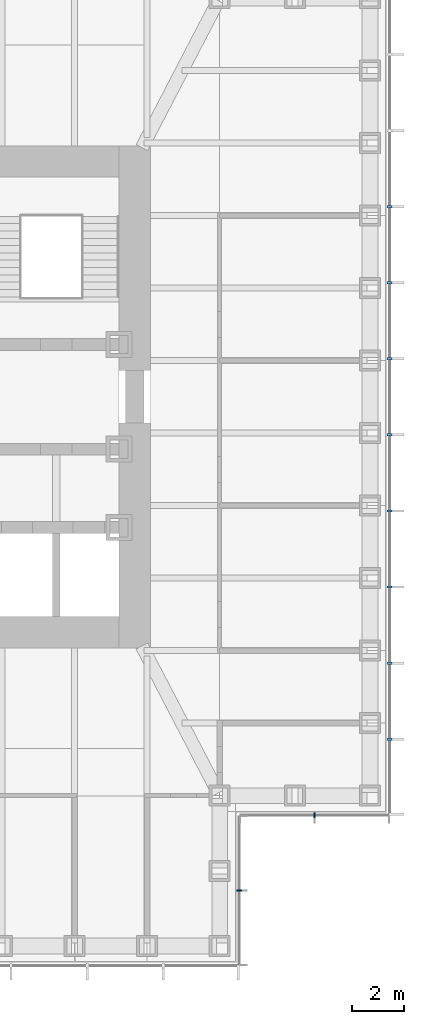
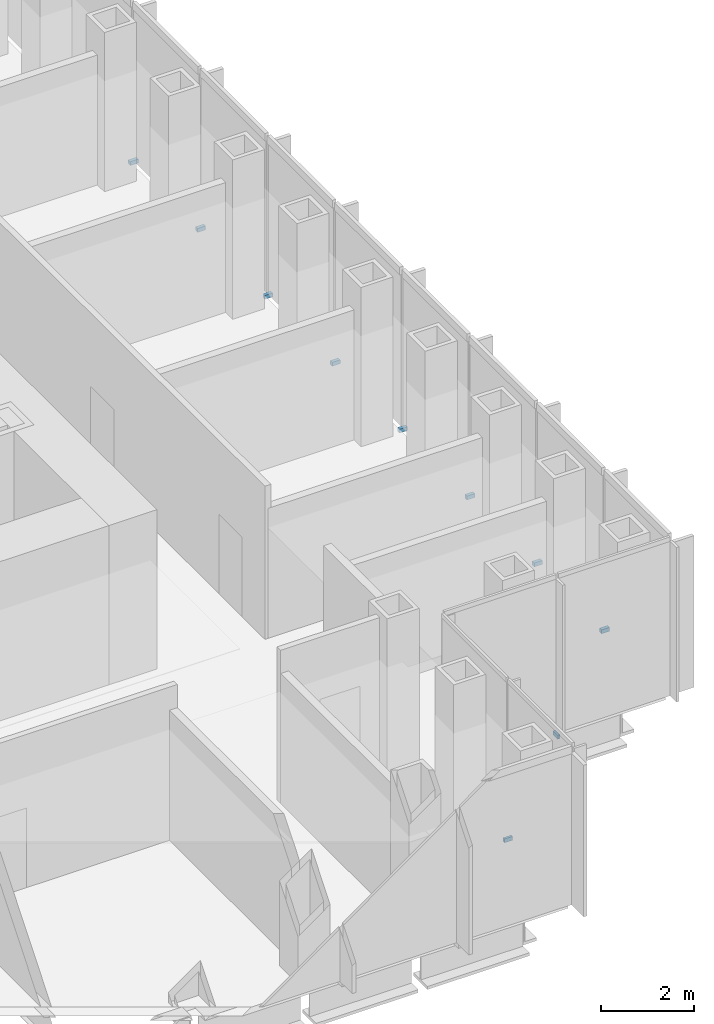
# One storey, part 13 of 16: 10 discrete accessories.
"""IFC4 building model written with IfcOpenShell, lengths in metres."""

from ifc_helpers import new_model, si_unit, direction, frame, origin, origin_2d, place, context, subcontext, project, spatial, rectangle, extrude, element, save


model = new_model("IFC4")

# Units and contexts
model_context = context("Model", 3, precision=1e-05, world=origin(), true_north=direction((0.0, 1.0)))
body_context = subcontext(model_context, "Body", "Model", "MODEL_VIEW")
ifc_project = project(units=[si_unit("LENGTHUNIT", "METRE"), si_unit("AREAUNIT", "SQUARE_METRE"), si_unit("VOLUMEUNIT", "CUBIC_METRE"), si_unit("PLANEANGLEUNIT", "RADIAN"), si_unit("MASSUNIT", "GRAM", prefix="KILO")], contexts=[model_context])

# Site, building, storey
site_placement = place(None, origin())
site = spatial("IfcSite", under=ifc_project, at=site_placement, CompositionType="ELEMENT")
building_placement = place(site_placement, origin())
building = spatial("IfcBuilding", under=site, at=building_placement, Name="Daluyong Arena Tower", CompositionType="ELEMENT")
storey_placement = place(building_placement, frame((0.0, 0.0, 267.10009765625)))
storey = spatial("IfcBuildingStorey", under=building, at=storey_placement, Name="L60", CompositionType="ELEMENT", Elevation=267.10009765625)

# Discrete accessories
for number, where, z_axis, x_axis, name in (
    (1, (72.0, 61.125, -0.10009765625), (0.0, 0.0, 1.0), (0.0, 1.0, 0.0), "curtain wall L60 SE-E anchor bracket 2"),
    (2, (74.875, 64.0, -0.10009765625), (0.0, 0.0, 1.0), (1.0, 0.0, 0.0), "curtain wall L60 SE-S anchor bracket 2"),
):
    element("IfcDiscreteAccessory", number, at=place(storey_placement, frame(where, z_axis=z_axis, x_axis=x_axis)), inside=storey, Name=name, PredefinedType="BRACKET", context=body_context, shape_type="SweptSolid", body=[
        extrude(rectangle(XDim=0.06005859375, YDim=0.199951171875, at=origin_2d()), origin(), (0.0, 0.0, 1.0), 0.10009765625),
    ])
for number, where, z_axis, x_axis, name in (
    (3, (77.75, 66.9091796875, -0.10009765625), (0.0, 0.0, 1.0), (0.0, 1.0, 0.0), "curtain wall L60 E anchor bracket 2"),
    (4, (77.75, 69.818115234375, -0.10009765625), (0.0, 0.0, 1.0), (0.0, 1.0, 0.0), "curtain wall L60 E anchor bracket 3"),
    (5, (77.75, 72.727294921875, -0.10009765625), (0.0, 0.0, 1.0), (0.0, 1.0, 0.0), "curtain wall L60 E anchor bracket 4"),
    (6, (77.75, 75.636474609375, -0.10009765625), (0.0, 0.0, 1.0), (0.0, 1.0, 0.0), "curtain wall L60 E anchor bracket 5"),
    (7, (77.75, 78.54541015625, -0.10009765625), (0.0, 0.0, 1.0), (0.0, 1.0, 0.0), "curtain wall L60 E anchor bracket 6"),
    (8, (77.75, 81.45458984375, -0.10009765625), (0.0, 0.0, 1.0), (0.0, 1.0, 0.0), "curtain wall L60 E anchor bracket 7"),
    (9, (77.75, 84.363525390625, -0.10009765625), (0.0, 0.0, 1.0), (0.0, 1.0, 0.0), "curtain wall L60 E anchor bracket 8"),
    (10, (77.75, 87.272705078125, -0.10009765625), (0.0, 0.0, 1.0), (0.0, 1.0, 0.0), "curtain wall L60 E anchor bracket 9"),
):
    element("IfcDiscreteAccessory", number, at=place(storey_placement, frame(where, z_axis=z_axis, x_axis=x_axis)), inside=storey, Name=name, PredefinedType="BRACKET", context=body_context, shape_type="SweptSolid", body=[
        extrude(rectangle(XDim=0.090087890625, YDim=0.199951171875, at=origin_2d()), origin(), (0.0, 0.0, 1.0), 0.10009765625),
    ])

save(model, "model.ifc")
